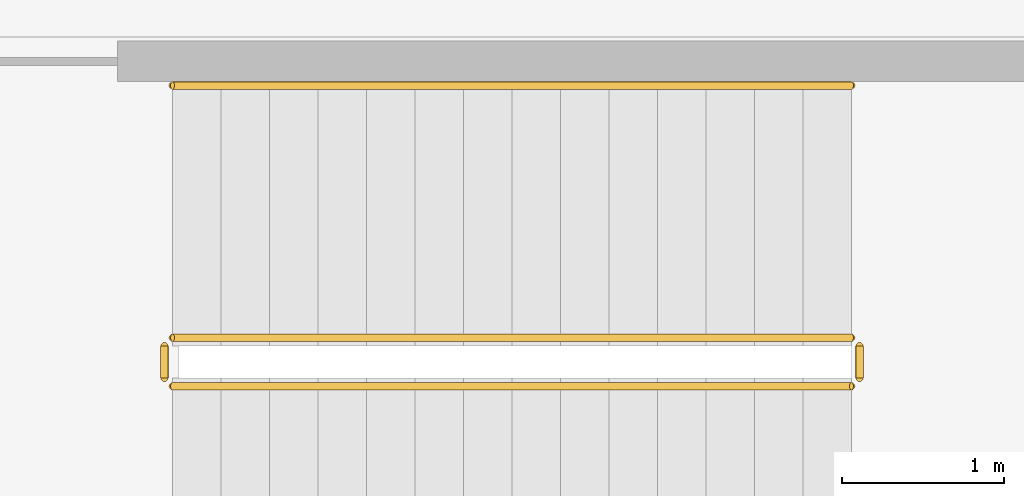
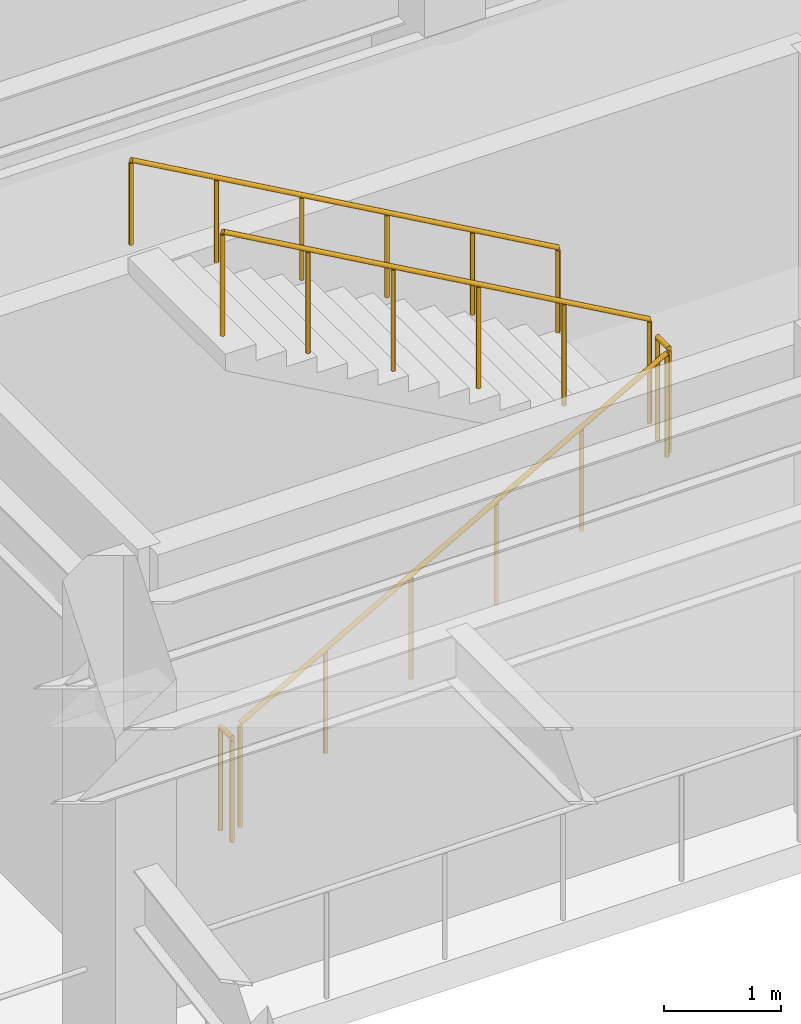
# One storey, part 102 of 117: 5 railings.
"""IFC4 building model written with IfcOpenShell, lengths in metres."""

from ifc_helpers import new_model, si_unit, direction, frame, origin, origin_2d, place, context, subcontext, project, spatial, circle, extrude, material, layer, layer_set, type_object, element, save


model = new_model("IFC4")

# Units and contexts
model_context = context("Model", 3, precision=1e-05, world=origin(), true_north=direction((0.0, 1.0)))
body_context = subcontext(model_context, "Body", "Model", "MODEL_VIEW")
ifc_project = project(units=[si_unit("LENGTHUNIT", "METRE"), si_unit("AREAUNIT", "SQUARE_METRE"), si_unit("VOLUMEUNIT", "CUBIC_METRE"), si_unit("PLANEANGLEUNIT", "RADIAN"), si_unit("MASSUNIT", "GRAM", prefix="KILO")], contexts=[model_context])

# Site, building, storey
site_placement = place(None, origin())
site = spatial("IfcSite", under=ifc_project, at=site_placement, CompositionType="ELEMENT")
building_placement = place(site_placement, origin())
building = spatial("IfcBuilding", under=site, at=building_placement, Name="Carrowvane Square Congress Hotel", CompositionType="ELEMENT")
storey_placement = place(building_placement, frame((0.0, 0.0, 5.39990234375)))
storey = spatial("IfcBuildingStorey", under=building, at=storey_placement, Name="L01", CompositionType="ELEMENT", Elevation=5.39990234375)

# Railings
ifc_material_1 = material(Name="Stainless steel 316", Category="steel")
ifc_layer_1 = layer(ifc_material_1, 0.048095703125)
ifc_layer_set_1 = layer_set([ifc_layer_1], Name="Stainless steel 316")
railing_type_1 = type_object("IfcRailingType", Name="RLG-HR-900", PredefinedType="HANDRAIL", material=ifc_layer_set_1)
railing_1_placement = place(storey_placement, frame((32.780029296875, 52.8701171875, 2.72021484375)))
element("IfcRailing", 1, at=railing_1_placement, inside=storey, type_object=railing_type_1, Name="L01 ST6 stair handrail 2", PredefinedType="HANDRAIL", context=body_context, shape_type="SweptSolid", body=[
    extrude(circle(Radius=0.02392578125, at=origin_2d()), frame((0.0, 0.0, 0.8759765625), z_axis=(-0.870030139814, 0.0, 0.492998535308), x_axis=(0.0, -1.0, 0.0)), (0.0, 0.0, 1.0), 4.827392578125),
    extrude(circle(Radius=0.02099609375, at=origin_2d()), origin(), (0.0, 0.0, 1.0), 0.851806640625),
    extrude(circle(Radius=0.02099609375, at=origin_2d()), frame((-0.840087890625, 0.0, 0.47607421875)), (0.0, 0.0, 1.0), 0.851806640625),
    extrude(circle(Radius=0.02099609375, at=origin_2d()), frame((-1.679931640625, 0.0, 0.951904296875)), (0.0, 0.0, 1.0), 0.851806640625),
    extrude(circle(Radius=0.02099609375, at=origin_2d()), frame((-2.52001953125, 0.0, 1.427978515625)), (0.0, 0.0, 1.0), 0.851806640625),
    extrude(circle(Radius=0.02099609375, at=origin_2d()), frame((-3.35986328125, 0.0, 1.90380859375)), (0.0, 0.0, 1.0), 0.851806640625),
    extrude(circle(Radius=0.02099609375, at=origin_2d()), frame((-4.199951171875, 0.0, 2.3798828125)), (0.0, 0.0, 1.0), 0.851806640625),
])
ifc_material_2 = material(Name="Galvanised steel", Category="steel")
ifc_layer_2 = layer(ifc_material_2, 0.048095703125)
ifc_layer_set_2 = layer_set([ifc_layer_2], Name="Galvanised steel")
railing_type_2 = type_object("IfcRailingType", Name="RLG-STG-1100", PredefinedType="GUARDRAIL", material=ifc_layer_set_2)
railing_2_placement = place(storey_placement, frame((28.580078125, 51.010009765625, 0.170166015625)))
element("IfcRailing", 2, at=railing_2_placement, inside=storey, type_object=railing_type_2, Name="L01 ST6 stair guard 1", PredefinedType="GUARDRAIL", context=body_context, shape_type="SweptSolid", body=[
    extrude(circle(Radius=0.02392578125, at=origin_2d()), frame((0.0, 0.0, 1.076171875), z_axis=(0.870030139814, 0.0, 0.492998535308), x_axis=(0.0, 1.0, 0.0)), (0.0, 0.0, 1.0), 4.827392578125),
    extrude(circle(Radius=0.02099609375, at=origin_2d()), origin(), (0.0, 0.0, 1.0), 1.052001953125),
    extrude(circle(Radius=0.02099609375, at=origin_2d()), frame((0.840087890625, 0.0, 0.47607421875)), (0.0, 0.0, 1.0), 1.052001953125),
    extrude(circle(Radius=0.02099609375, at=origin_2d()), frame((1.679931640625, 0.0, 0.951904296875)), (0.0, 0.0, 1.0), 1.052001953125),
    extrude(circle(Radius=0.02099609375, at=origin_2d()), frame((2.52001953125, 0.0, 1.427978515625)), (0.0, 0.0, 1.0), 1.052001953125),
    extrude(circle(Radius=0.02099609375, at=origin_2d()), frame((3.35986328125, 0.0, 1.90380859375)), (0.0, 0.0, 1.0), 1.052001953125),
    extrude(circle(Radius=0.02099609375, at=origin_2d()), frame((4.199951171875, 0.0, 2.3798828125)), (0.0, 0.0, 1.0), 1.052001953125),
])
railing_3_placement = place(storey_placement, frame((32.830078125, 51.06005859375, 2.550048828125)))
element("IfcRailing", 3, at=railing_3_placement, inside=storey, type_object=railing_type_2, Name="L01 ST6 stair guard 2", PredefinedType="GUARDRAIL", context=body_context, shape_type="SweptSolid", body=[
    extrude(circle(Radius=0.02392578125, at=origin_2d()), frame((0.0, 0.0, 1.076171875), z_axis=(0.0, 1.0, 0.0), x_axis=(-1.0, 0.0, 0.0)), (0.0, 0.0, 1.0), 0.199951171875),
    extrude(circle(Radius=0.02099609375, at=origin_2d()), origin(), (0.0, 0.0, 1.0), 1.052001953125),
    extrude(circle(Radius=0.02099609375, at=origin_2d()), frame((0.0, 0.199951171875, 0.0)), (0.0, 0.0, 1.0), 1.052001953125),
])
railing_4_placement = place(storey_placement, frame((32.780029296875, 51.31005859375, 2.72021484375)))
element("IfcRailing", 4, at=railing_4_placement, inside=storey, type_object=railing_type_2, Name="L01 ST6 stair guard 3", PredefinedType="GUARDRAIL", context=body_context, shape_type="SweptSolid", body=[
    extrude(circle(Radius=0.02392578125, at=origin_2d()), frame((0.0, 0.0, 1.076171875), z_axis=(-0.870030139814, 0.0, 0.492998535308), x_axis=(0.0, -1.0, 0.0)), (0.0, 0.0, 1.0), 4.827392578125),
    extrude(circle(Radius=0.02099609375, at=origin_2d()), origin(), (0.0, 0.0, 1.0), 1.052001953125),
    extrude(circle(Radius=0.02099609375, at=origin_2d()), frame((-0.840087890625, 0.0, 0.47607421875)), (0.0, 0.0, 1.0), 1.052001953125),
    extrude(circle(Radius=0.02099609375, at=origin_2d()), frame((-1.679931640625, 0.0, 0.951904296875)), (0.0, 0.0, 1.0), 1.052001953125),
    extrude(circle(Radius=0.02099609375, at=origin_2d()), frame((-2.52001953125, 0.0, 1.427978515625)), (0.0, 0.0, 1.0), 1.052001953125),
    extrude(circle(Radius=0.02099609375, at=origin_2d()), frame((-3.35986328125, 0.0, 1.90380859375)), (0.0, 0.0, 1.0), 1.052001953125),
    extrude(circle(Radius=0.02099609375, at=origin_2d()), frame((-4.199951171875, 0.0, 2.3798828125)), (0.0, 0.0, 1.0), 1.052001953125),
])
railing_5_placement = place(storey_placement, frame((28.530029296875, 51.06005859375, 0.0)))
element("IfcRailing", 5, at=railing_5_placement, inside=storey, type_object=railing_type_2, Name="L01 ST6 stair guard 4", PredefinedType="GUARDRAIL", context=body_context, shape_type="SweptSolid", body=[
    extrude(circle(Radius=0.02392578125, at=origin_2d()), frame((0.0, 0.0, 1.076171875), z_axis=(0.0, 1.0, 0.0), x_axis=(-1.0, 0.0, 0.0)), (0.0, 0.0, 1.0), 0.199951171875),
    extrude(circle(Radius=0.02099609375, at=origin_2d()), origin(), (0.0, 0.0, 1.0), 1.052001953125),
    extrude(circle(Radius=0.02099609375, at=origin_2d()), frame((0.0, 0.199951171875, 0.0)), (0.0, 0.0, 1.0), 1.052001953125),
])

save(model, "model.ifc")
